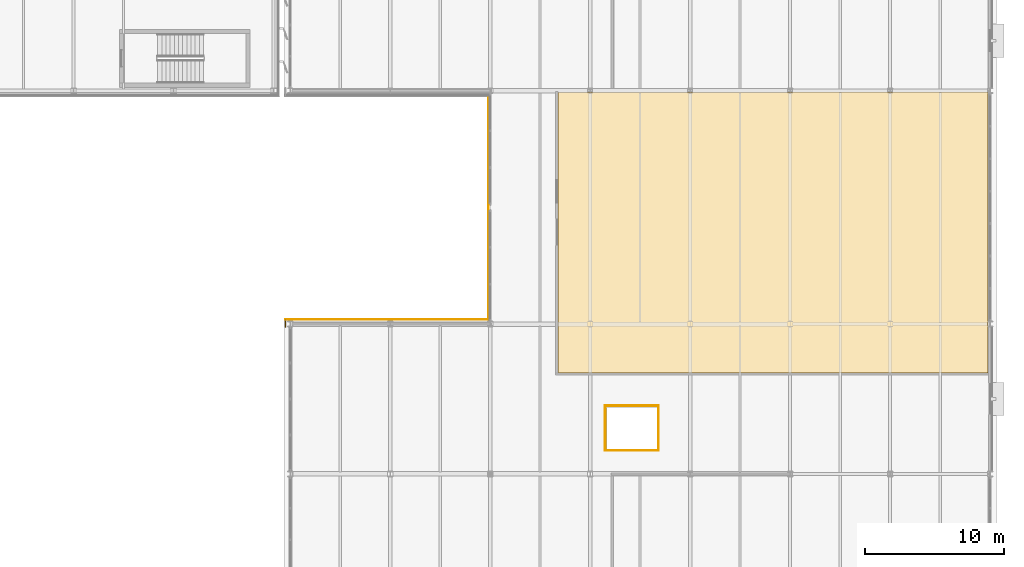
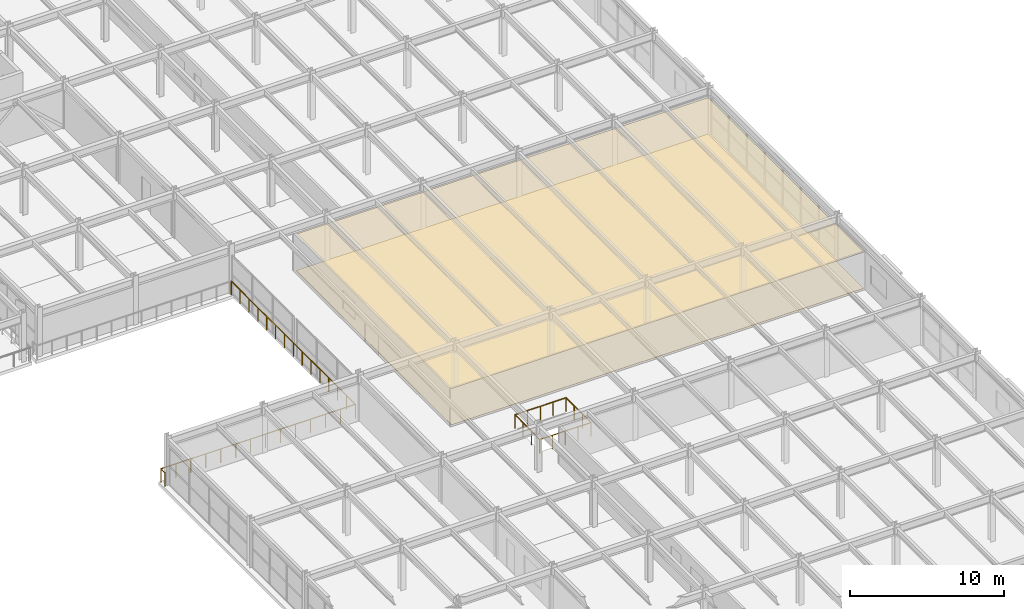
# One storey, part 87 of 93: 7 railings, 2 coverings.
"""IFC4 building model written with IfcOpenShell, lengths in metres."""

from ifc_helpers import new_model, si_unit, direction, frame, origin, origin_2d, place, context, subcontext, project, spatial, polyline, circle, outline, extrude, material, layer, layer_set, type_object, element, save


model = new_model("IFC4")

# Units and contexts
model_context = context("Model", 3, precision=1e-05, world=origin(), true_north=direction((0.0, 1.0)))
body_context = subcontext(model_context, "Body", "Model", "MODEL_VIEW")
ifc_project = project(units=[si_unit("LENGTHUNIT", "METRE"), si_unit("AREAUNIT", "SQUARE_METRE"), si_unit("VOLUMEUNIT", "CUBIC_METRE"), si_unit("PLANEANGLEUNIT", "RADIAN"), si_unit("MASSUNIT", "GRAM", prefix="KILO")], contexts=[model_context])

# Site, building, storey
site_placement = place(None, origin())
site = spatial("IfcSite", under=ifc_project, at=site_placement, CompositionType="ELEMENT")
building_placement = place(site_placement, origin())
building = spatial("IfcBuilding", under=site, at=building_placement, Name="Vaelcorin Mobility Hub", CompositionType="ELEMENT")
storey_placement = place(building_placement, frame((0.0, 0.0, 5.39990234375)))
storey = spatial("IfcBuildingStorey", under=building, at=storey_placement, Name="L01", CompositionType="ELEMENT", Elevation=5.39990234375)

# Coverings
ifc_material_1 = material(Name="Perforated acoustic mineral-fibre ceiling tile")
ifc_layer_1 = layer(ifc_material_1, 0.02392578125)
ifc_layer_set_1 = layer_set([ifc_layer_1], Name="Perforated acoustic mineral-fibre ceiling tile")
covering_type_1 = type_object("IfcCoveringType", Name="COV-CEIL-2", PredefinedType="CEILING", material=ifc_layer_set_1)
covering_1_placement = place(storey_placement, frame((0.0, 0.0, 2.88818359375)))
element("IfcCovering", 1, at=covering_1_placement, inside=storey, type_object=covering_type_1, Name="Bus Operator Rest and Canteen Acoustic Ceiling", PredefinedType="CEILING", context=body_context, shape_type="SweptSolid", body=[
    extrude(outline(polyline([(172.93994140625, 56.47998046875), (172.93408203125, 56.47998046875), (172.927978515625, 56.48095703125), (172.923095703125, 56.48291015625), (172.9169921875, 56.485107421875), (172.912109375, 56.487060546875), (172.906982421875, 56.489990234375), (172.902099609375, 56.493896484375), (172.89794921875, 56.498046875), (172.89404296875, 56.501953125), (172.889892578125, 56.507080078125), (172.886962890625, 56.511962890625), (172.885009765625, 56.51708984375), (172.883056640625, 56.52294921875), (172.881103515625, 56.528076171875), (172.8798828125, 56.533935546875), (172.8798828125, 56.5400390625), (172.8798828125, 76.659912109375), (172.8798828125, 76.666015625), (172.881103515625, 76.672119140625), (172.883056640625, 76.677001953125), (172.885009765625, 76.68310546875), (172.886962890625, 76.68798828125), (172.889892578125, 76.693115234375), (172.89404296875, 76.697998046875), (172.89794921875, 76.701904296875), (172.902099609375, 76.7060546875), (172.906982421875, 76.7099609375), (172.912109375, 76.712890625), (172.9169921875, 76.715087890625), (172.923095703125, 76.717041015625), (172.927978515625, 76.718994140625), (172.93408203125, 76.719970703125), (172.93994140625, 76.719970703125), (203.800048828125, 76.719970703125), (203.805908203125, 76.719970703125), (203.81201171875, 76.718994140625), (203.81689453125, 76.717041015625), (203.822998046875, 76.715087890625), (203.827880859375, 76.712890625), (203.8330078125, 76.7099609375), (203.837890625, 76.7060546875), (203.842041015625, 76.701904296875), (203.845947265625, 76.697998046875), (203.85009765625, 76.693115234375), (203.85302734375, 76.68798828125), (203.85498046875, 76.68310546875), (203.85693359375, 76.677001953125), (203.85888671875, 76.672119140625), (203.860107421875, 76.666015625), (203.860107421875, 76.659912109375), (203.860107421875, 56.5400390625), (203.860107421875, 56.533935546875), (203.85888671875, 56.528076171875), (203.85693359375, 56.52294921875), (203.85498046875, 56.51708984375), (203.85302734375, 56.511962890625), (203.85009765625, 56.507080078125), (203.845947265625, 56.501953125), (203.842041015625, 56.498046875), (203.837890625, 56.493896484375), (203.8330078125, 56.489990234375), (203.827880859375, 56.487060546875), (203.822998046875, 56.485107421875), (203.81689453125, 56.48291015625), (203.81201171875, 56.48095703125), (203.805908203125, 56.47998046875), (203.800048828125, 56.47998046875), (172.93994140625, 56.47998046875)])), origin(), (0.0, 0.0, 1.0), 0.02392578125),
])
ifc_material_2 = material(Name="Polished epoxy-terrazzo concourse flooring")
ifc_layer_2 = layer(ifc_material_2, 0.02587890625)
ifc_layer_set_2 = layer_set([ifc_layer_2], Name="Polished epoxy-terrazzo concourse flooring")
covering_type_2 = type_object("IfcCoveringType", Name="COV-FLR-2", PredefinedType="FLOORING", material=ifc_layer_set_2)
covering_2_placement = place(storey_placement, origin())
element("IfcCovering", 2, at=covering_2_placement, inside=storey, type_object=covering_type_2, Name="Bus Operator Rest and Canteen Finish Flooring", PredefinedType="FLOORING", context=body_context, shape_type="SweptSolid", body=[
    extrude(outline(polyline([(172.93994140625, 56.47998046875), (172.93408203125, 56.47998046875), (172.927978515625, 56.48095703125), (172.923095703125, 56.48291015625), (172.9169921875, 56.485107421875), (172.912109375, 56.487060546875), (172.906982421875, 56.489990234375), (172.902099609375, 56.493896484375), (172.89794921875, 56.498046875), (172.89404296875, 56.501953125), (172.889892578125, 56.507080078125), (172.886962890625, 56.511962890625), (172.885009765625, 56.51708984375), (172.883056640625, 56.52294921875), (172.881103515625, 56.528076171875), (172.8798828125, 56.533935546875), (172.8798828125, 56.5400390625), (172.8798828125, 76.659912109375), (172.8798828125, 76.666015625), (172.881103515625, 76.672119140625), (172.883056640625, 76.677001953125), (172.885009765625, 76.68310546875), (172.886962890625, 76.68798828125), (172.889892578125, 76.693115234375), (172.89404296875, 76.697998046875), (172.89794921875, 76.701904296875), (172.902099609375, 76.7060546875), (172.906982421875, 76.7099609375), (172.912109375, 76.712890625), (172.9169921875, 76.715087890625), (172.923095703125, 76.717041015625), (172.927978515625, 76.718994140625), (172.93408203125, 76.719970703125), (172.93994140625, 76.719970703125), (203.800048828125, 76.719970703125), (203.805908203125, 76.719970703125), (203.81201171875, 76.718994140625), (203.81689453125, 76.717041015625), (203.822998046875, 76.715087890625), (203.827880859375, 76.712890625), (203.8330078125, 76.7099609375), (203.837890625, 76.7060546875), (203.842041015625, 76.701904296875), (203.845947265625, 76.697998046875), (203.85009765625, 76.693115234375), (203.85302734375, 76.68798828125), (203.85498046875, 76.68310546875), (203.85693359375, 76.677001953125), (203.85888671875, 76.672119140625), (203.860107421875, 76.666015625), (203.860107421875, 76.659912109375), (203.860107421875, 56.5400390625), (203.860107421875, 56.533935546875), (203.85888671875, 56.528076171875), (203.85693359375, 56.52294921875), (203.85498046875, 56.51708984375), (203.85302734375, 56.511962890625), (203.85009765625, 56.507080078125), (203.845947265625, 56.501953125), (203.842041015625, 56.498046875), (203.837890625, 56.493896484375), (203.8330078125, 56.489990234375), (203.827880859375, 56.487060546875), (203.822998046875, 56.485107421875), (203.81689453125, 56.48291015625), (203.81201171875, 56.48095703125), (203.805908203125, 56.47998046875), (203.800048828125, 56.47998046875), (172.93994140625, 56.47998046875)])), origin(), (0.0, 0.0, 1.0), 0.026123046875),
])

# Railings
ifc_material_3 = material(Name="Galvanised structural steel ASTM A36", Category="steel")
ifc_layer_3 = layer(ifc_material_3, 0.070068359375)
ifc_layer_set_3 = layer_set([ifc_layer_3], Name="Galvanised structural steel ASTM A36")
railing_type = type_object("IfcRailingType", Name="RL-GUARD-1100", PredefinedType="BALUSTRADE", material=ifc_layer_set_3)
railing_1_placement = place(storey_placement, frame((176.280029296875, 50.8798828125, 0.0)))
element("IfcRailing", 3, at=railing_1_placement, inside=storey, type_object=railing_type, Name="L01 Perimeter Guard GR-V5-L01-LW-01", PredefinedType="BALUSTRADE", context=body_context, shape_type="SweptSolid", body=[
    extrude(circle(Radius=0.02392578125, at=origin_2d()), frame((0.0, 0.0, 1.076171875), z_axis=(1.0, 0.0, 0.0), x_axis=(0.0, 1.0, 0.0)), (0.0, 0.0, 1.0), 3.840087890625),
    extrude(circle(Radius=0.02099609375, at=origin_2d()), origin(), (0.0, 0.0, 1.0), 1.052001953125),
    extrude(circle(Radius=0.02099609375, at=origin_2d()), frame((0.9599609375, 0.0, 0.0)), (0.0, 0.0, 1.0), 1.052001953125),
    extrude(circle(Radius=0.02099609375, at=origin_2d()), frame((1.919921875, 0.0, 0.0)), (0.0, 0.0, 1.0), 1.052001953125),
    extrude(circle(Radius=0.02099609375, at=origin_2d()), frame((2.880126953125, 0.0, 0.0)), (0.0, 0.0, 1.0), 1.052001953125),
    extrude(circle(Radius=0.02099609375, at=origin_2d()), frame((3.840087890625, 0.0, 0.0)), (0.0, 0.0, 1.0), 1.052001953125),
])
railing_2_placement = place(storey_placement, frame((180.1201171875, 50.8798828125, 0.0)))
element("IfcRailing", 4, at=railing_2_placement, inside=storey, type_object=railing_type, Name="L01 Perimeter Guard GR-V5-L01-LW-02", PredefinedType="BALUSTRADE", context=body_context, shape_type="SweptSolid", body=[
    extrude(circle(Radius=0.02392578125, at=origin_2d()), frame((0.0, 0.0, 1.076171875), z_axis=(0.0, 1.0, 0.0), x_axis=(-1.0, 0.0, 0.0)), (0.0, 0.0, 1.0), 3.240234375),
    extrude(circle(Radius=0.02099609375, at=origin_2d()), origin(), (0.0, 0.0, 1.0), 1.052001953125),
    extrude(circle(Radius=0.02099609375, at=origin_2d()), frame((0.0, 1.080078125, 0.0)), (0.0, 0.0, 1.0), 1.052001953125),
    extrude(circle(Radius=0.02099609375, at=origin_2d()), frame((0.0, 2.16015625, 0.0)), (0.0, 0.0, 1.0), 1.052001953125),
    extrude(circle(Radius=0.02099609375, at=origin_2d()), frame((0.0, 3.240234375, 0.0)), (0.0, 0.0, 1.0), 1.052001953125),
])
railing_3_placement = place(storey_placement, frame((180.1201171875, 54.1201171875, 0.0)))
element("IfcRailing", 5, at=railing_3_placement, inside=storey, type_object=railing_type, Name="L01 Perimeter Guard GR-V5-L01-LW-03", PredefinedType="BALUSTRADE", context=body_context, shape_type="SweptSolid", body=[
    extrude(circle(Radius=0.02392578125, at=origin_2d()), frame((0.0, 0.0, 1.076171875), z_axis=(-1.0, 0.0, 0.0), x_axis=(0.0, -1.0, 0.0)), (0.0, 0.0, 1.0), 3.840087890625),
    extrude(circle(Radius=0.02099609375, at=origin_2d()), origin(), (0.0, 0.0, 1.0), 1.052001953125),
    extrude(circle(Radius=0.02099609375, at=origin_2d()), frame((-0.9599609375, 0.0, 0.0)), (0.0, 0.0, 1.0), 1.052001953125),
    extrude(circle(Radius=0.02099609375, at=origin_2d()), frame((-1.919921875, 0.0, 0.0)), (0.0, 0.0, 1.0), 1.052001953125),
    extrude(circle(Radius=0.02099609375, at=origin_2d()), frame((-2.880126953125, 0.0, 0.0)), (0.0, 0.0, 1.0), 1.052001953125),
    extrude(circle(Radius=0.02099609375, at=origin_2d()), frame((-3.840087890625, 0.0, 0.0)), (0.0, 0.0, 1.0), 1.052001953125),
])
railing_4_placement = place(storey_placement, frame((176.280029296875, 54.1201171875, 0.0)))
element("IfcRailing", 6, at=railing_4_placement, inside=storey, type_object=railing_type, Name="L01 Perimeter Guard GR-V5-L01-LW-04", PredefinedType="BALUSTRADE", context=body_context, shape_type="SweptSolid", body=[
    extrude(circle(Radius=0.02392578125, at=origin_2d()), frame((0.0, 0.0, 1.076171875), z_axis=(0.0, -1.0, 0.0), x_axis=(1.0, 0.0, 0.0)), (0.0, 0.0, 1.0), 3.240234375),
    extrude(circle(Radius=0.02099609375, at=origin_2d()), origin(), (0.0, 0.0, 1.0), 1.052001953125),
    extrude(circle(Radius=0.02099609375, at=origin_2d()), frame((0.0, -1.080078125, 0.0)), (0.0, 0.0, 1.0), 1.052001953125),
    extrude(circle(Radius=0.02099609375, at=origin_2d()), frame((0.0, -2.16015625, 0.0)), (0.0, 0.0, 1.0), 1.052001953125),
    extrude(circle(Radius=0.02099609375, at=origin_2d()), frame((0.0, -3.240234375, 0.0)), (0.0, 0.0, 1.0), 1.052001953125),
])
railing_5_placement = place(storey_placement, frame((153.27001953125, 59.800048828125, 0.0)))
element("IfcRailing", 7, at=railing_5_placement, inside=storey, type_object=railing_type, Name="L01 Perimeter Guard GR-V5-L01-NOTCH-01", PredefinedType="BALUSTRADE", context=body_context, shape_type="SweptSolid", body=[
    extrude(circle(Radius=0.02392578125, at=origin_2d()), frame((0.0, 0.0, 1.076171875), z_axis=(0.0, 1.0, 0.0), x_axis=(-1.0, 0.0, 0.0)), (0.0, 0.0, 1.0), 0.530029296875),
    extrude(circle(Radius=0.02099609375, at=origin_2d()), origin(), (0.0, 0.0, 1.0), 1.052001953125),
    extrude(circle(Radius=0.02099609375, at=origin_2d()), frame((0.0, 0.530029296875, 0.0)), (0.0, 0.0, 1.0), 1.052001953125),
])
railing_6_placement = place(storey_placement, frame((153.27001953125, 60.330078125, 0.0)))
element("IfcRailing", 8, at=railing_6_placement, inside=storey, type_object=railing_type, Name="L01 Perimeter Guard GR-V5-L01-NOTCH-02", PredefinedType="BALUSTRADE", context=body_context, shape_type="SweptSolid", body=[
    extrude(circle(Radius=0.02392578125, at=origin_2d()), frame((0.0, 0.0, 1.076171875), z_axis=(1.0, 0.0, 0.0), x_axis=(0.0, 1.0, 0.0)), (0.0, 0.0, 1.0), 14.60986328125),
    extrude(circle(Radius=0.02099609375, at=origin_2d()), origin(), (0.0, 0.0, 1.0), 1.052001953125),
    extrude(circle(Radius=0.02099609375, at=origin_2d()), frame((1.123779296875, 0.0, 0.0)), (0.0, 0.0, 1.0), 1.052001953125),
    extrude(circle(Radius=0.02099609375, at=origin_2d()), frame((2.24755859375, 0.0, 0.0)), (0.0, 0.0, 1.0), 1.052001953125),
    extrude(circle(Radius=0.02099609375, at=origin_2d()), frame((3.37158203125, 0.0, 0.0)), (0.0, 0.0, 1.0), 1.052001953125),
    extrude(circle(Radius=0.02099609375, at=origin_2d()), frame((4.495361328125, 0.0, 0.0)), (0.0, 0.0, 1.0), 1.052001953125),
    extrude(circle(Radius=0.02099609375, at=origin_2d()), frame((5.619140625, 0.0, 0.0)), (0.0, 0.0, 1.0), 1.052001953125),
    extrude(circle(Radius=0.02099609375, at=origin_2d()), frame((6.742919921875, 0.0, 0.0)), (0.0, 0.0, 1.0), 1.052001953125),
    extrude(circle(Radius=0.02099609375, at=origin_2d()), frame((7.866943359375, 0.0, 0.0)), (0.0, 0.0, 1.0), 1.052001953125),
    extrude(circle(Radius=0.02099609375, at=origin_2d()), frame((8.99072265625, 0.0, 0.0)), (0.0, 0.0, 1.0), 1.052001953125),
    extrude(circle(Radius=0.02099609375, at=origin_2d()), frame((10.114501953125, 0.0, 0.0)), (0.0, 0.0, 1.0), 1.052001953125),
    extrude(circle(Radius=0.02099609375, at=origin_2d()), frame((11.23828125, 0.0, 0.0)), (0.0, 0.0, 1.0), 1.052001953125),
    extrude(circle(Radius=0.02099609375, at=origin_2d()), frame((12.3623046875, 0.0, 0.0)), (0.0, 0.0, 1.0), 1.052001953125),
    extrude(circle(Radius=0.02099609375, at=origin_2d()), frame((13.486083984375, 0.0, 0.0)), (0.0, 0.0, 1.0), 1.052001953125),
    extrude(circle(Radius=0.02099609375, at=origin_2d()), frame((14.60986328125, 0.0, 0.0)), (0.0, 0.0, 1.0), 1.052001953125),
])
railing_7_placement = place(storey_placement, frame((167.8798828125, 60.330078125, 0.0)))
element("IfcRailing", 9, at=railing_7_placement, inside=storey, type_object=railing_type, Name="L01 Perimeter Guard GR-V5-L01-NOTCH-03", PredefinedType="BALUSTRADE", context=body_context, shape_type="SweptSolid", body=[
    extrude(circle(Radius=0.02392578125, at=origin_2d()), frame((0.0, 0.0, 1.076171875), z_axis=(0.0, 1.0, 0.0), x_axis=(-1.0, 0.0, 0.0)), (0.0, 0.0, 1.0), 16.139892578125),
    extrude(circle(Radius=0.02099609375, at=origin_2d()), origin(), (0.0, 0.0, 1.0), 1.052001953125),
    extrude(circle(Radius=0.02099609375, at=origin_2d()), frame((0.0, 1.15283203125, 0.0)), (0.0, 0.0, 1.0), 1.052001953125),
    extrude(circle(Radius=0.02099609375, at=origin_2d()), frame((0.0, 2.3056640625, 0.0)), (0.0, 0.0, 1.0), 1.052001953125),
    extrude(circle(Radius=0.02099609375, at=origin_2d()), frame((0.0, 3.45849609375, 0.0)), (0.0, 0.0, 1.0), 1.052001953125),
    extrude(circle(Radius=0.02099609375, at=origin_2d()), frame((0.0, 4.611328125, 0.0)), (0.0, 0.0, 1.0), 1.052001953125),
    extrude(circle(Radius=0.02099609375, at=origin_2d()), frame((0.0, 5.76416015625, 0.0)), (0.0, 0.0, 1.0), 1.052001953125),
    extrude(circle(Radius=0.02099609375, at=origin_2d()), frame((0.0, 6.9169921875, 0.0)), (0.0, 0.0, 1.0), 1.052001953125),
    extrude(circle(Radius=0.02099609375, at=origin_2d()), frame((0.0, 8.06982421875, 0.0)), (0.0, 0.0, 1.0), 1.052001953125),
    extrude(circle(Radius=0.02099609375, at=origin_2d()), frame((0.0, 9.222900390625, 0.0)), (0.0, 0.0, 1.0), 1.052001953125),
    extrude(circle(Radius=0.02099609375, at=origin_2d()), frame((0.0, 10.375732421875, 0.0)), (0.0, 0.0, 1.0), 1.052001953125),
    extrude(circle(Radius=0.02099609375, at=origin_2d()), frame((0.0, 11.528564453125, 0.0)), (0.0, 0.0, 1.0), 1.052001953125),
    extrude(circle(Radius=0.02099609375, at=origin_2d()), frame((0.0, 12.681396484375, 0.0)), (0.0, 0.0, 1.0), 1.052001953125),
    extrude(circle(Radius=0.02099609375, at=origin_2d()), frame((0.0, 13.834228515625, 0.0)), (0.0, 0.0, 1.0), 1.052001953125),
    extrude(circle(Radius=0.02099609375, at=origin_2d()), frame((0.0, 14.987060546875, 0.0)), (0.0, 0.0, 1.0), 1.052001953125),
    extrude(circle(Radius=0.02099609375, at=origin_2d()), frame((0.0, 16.139892578125, 0.0)), (0.0, 0.0, 1.0), 1.052001953125),
])

save(model, "model.ifc")
